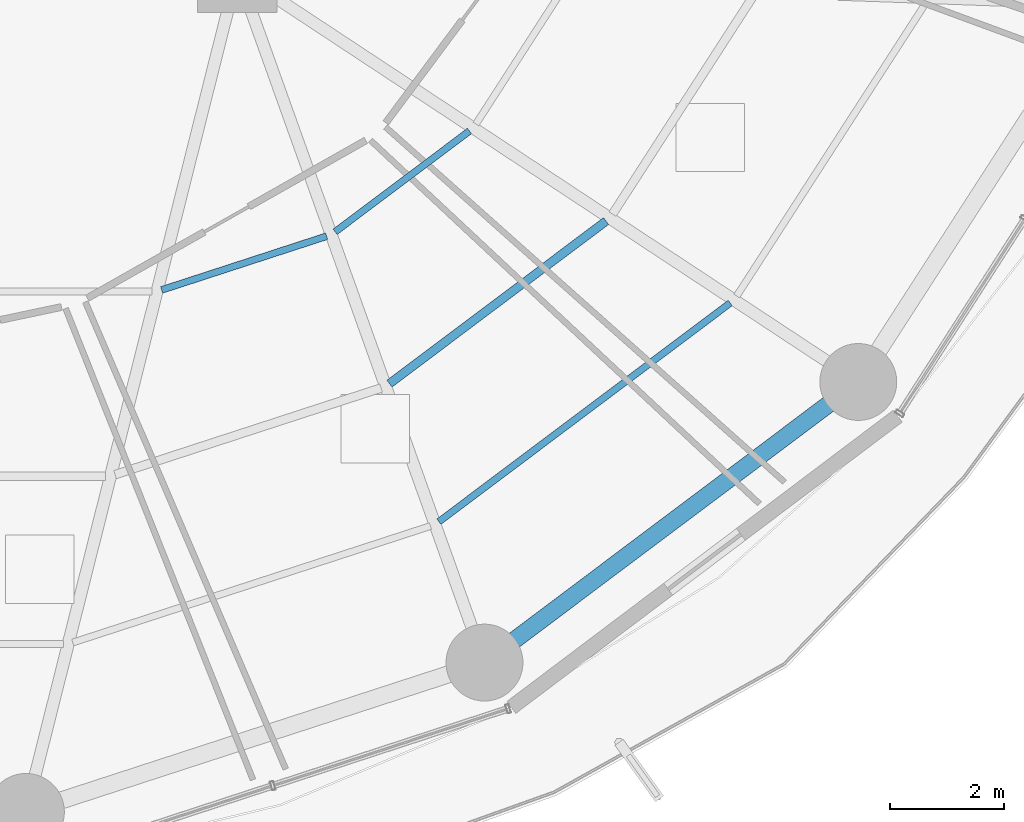
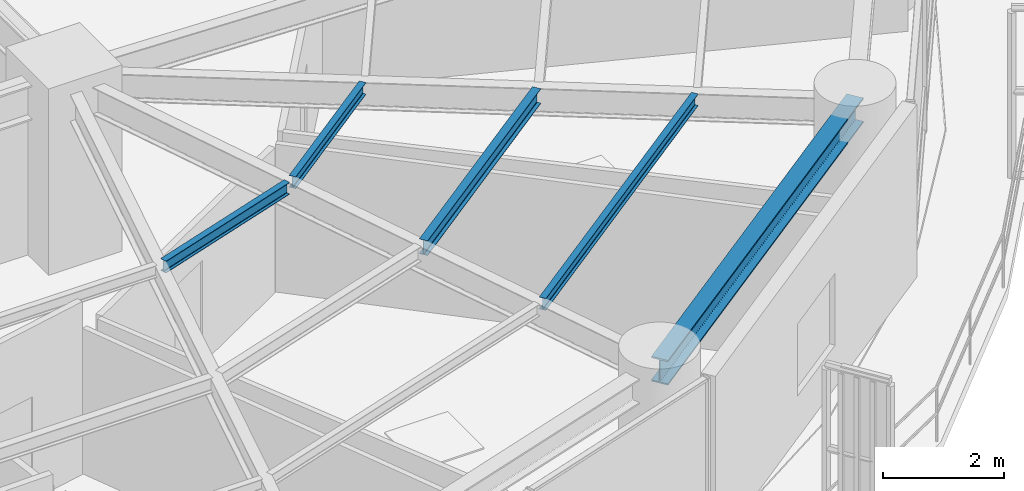
# One storey, part 11 of 35: 5 beams.
"""IFC4 building model written with IfcOpenShell, lengths in metres."""

from ifc_helpers import new_model, si_unit, direction, frame, origin, origin_2d, place, context, subcontext, project, spatial, i_section, extrude, material, material_profile, profile_set, type_object, element, save


model = new_model("IFC4")

# Units and contexts
model_context = context("Model", 3, precision=1e-05, world=origin(), true_north=direction((0.0, 1.0)))
body_context = subcontext(model_context, "Body", "Model", "MODEL_VIEW")
ifc_project = project(units=[si_unit("LENGTHUNIT", "METRE"), si_unit("AREAUNIT", "SQUARE_METRE"), si_unit("VOLUMEUNIT", "CUBIC_METRE"), si_unit("PLANEANGLEUNIT", "RADIAN"), si_unit("MASSUNIT", "GRAM", prefix="KILO")], contexts=[model_context])

# Site, building, storey
site_placement = place(None, origin())
site = spatial("IfcSite", under=ifc_project, at=site_placement, CompositionType="ELEMENT")
building_placement = place(site_placement, origin())
building = spatial("IfcBuilding", under=site, at=building_placement, Name="Kelanora Arch Commons", CompositionType="ELEMENT")
storey_placement = place(building_placement, frame((0.0, 0.0, 95.10009765625)))
storey = spatial("IfcBuildingStorey", under=building, at=storey_placement, Name="L24", CompositionType="ELEMENT", Elevation=95.10009765625)

# Beams
ifc_material = material(Name="Steel S355", Category="steel")
ifc_material_profile_1 = material_profile(ifc_material, i_section(OverallWidth=0.14990234375, OverallDepth=0.300048828125, WebThickness=0.007080078125, FlangeThickness=0.0107421875, FilletRadius=0.014892578125, at=origin_2d()), Name="IPE300")
ifc_profile_set_1 = profile_set([ifc_material_profile_1], Name="Steel S355")
beam_type_1 = type_object("IfcBeamType", Name="BM-JST-01", PredefinedType="JOIST", material=ifc_profile_set_1)
beam_1_placement = place(storey_placement, frame((84.672119140625, 43.77783203125, 3.33984375), z_axis=(0.79971039107, 0.600385951214, 0.0), x_axis=(-0.600385951214, 0.79971039107, 0.0)))
element("IfcBeam", 1, at=beam_1_placement, inside=storey, type_object=beam_type_1, Name="Secondary Chord Joist BJB-30 L24", PredefinedType="JOIST", context=body_context, shape_type="SweptSolid", body=[
    extrude(i_section(OverallWidth=0.14990234375, OverallDepth=0.300048828125, WebThickness=0.007080078125, FlangeThickness=0.0107421875, FilletRadius=0.014892578125, at=origin_2d()), origin(), (0.0, 0.0, 1.0), 4.756103515625),
])
ifc_material_profile_2 = material_profile(ifc_material, i_section(OverallWidth=0.1201171875, OverallDepth=0.239990234375, WebThickness=0.006103515625, FlangeThickness=0.009765625, FilletRadius=0.014892578125, at=origin_2d()), Name="IPE240")
ifc_profile_set_2 = profile_set([ifc_material_profile_2], Name="Steel S355")
beam_type_2 = type_object("IfcBeamType", Name="BM-JST-02", PredefinedType="JOIST", material=ifc_profile_set_2)
beam_2_placement = place(storey_placement, frame((80.66943359375, 45.42333984375, 3.369873046875), z_axis=(0.950846758946, 0.309661817151, 0.0), x_axis=(-0.309661817151, 0.950846758946, 0.0)))
element("IfcBeam", 2, at=beam_2_placement, inside=storey, type_object=beam_type_2, Name="Secondary Chord Joist BJA-28 L24", PredefinedType="JOIST", context=body_context, shape_type="SweptSolid", body=[
    extrude(i_section(OverallWidth=0.1201171875, OverallDepth=0.239990234375, WebThickness=0.006103515625, FlangeThickness=0.009765625, FilletRadius=0.014892578125, at=origin_2d()), origin(), (0.0, 0.0, 1.0), 3.048828125),
])
beam_3_placement = place(storey_placement, frame((83.71728515625, 46.444580078125, 3.369873046875), z_axis=(0.799692034361, 0.600410401458, 0.0), x_axis=(-0.600410401458, 0.799692034361, 0.0)))
element("IfcBeam", 3, at=beam_3_placement, inside=storey, type_object=beam_type_2, Name="Secondary Chord Joist BJA-30 L24", PredefinedType="JOIST", context=body_context, shape_type="SweptSolid", body=[
    extrude(i_section(OverallWidth=0.1201171875, OverallDepth=0.239990234375, WebThickness=0.006103515625, FlangeThickness=0.009765625, FilletRadius=0.014892578125, at=origin_2d()), origin(), (0.0, 0.0, 1.0), 2.949951171875),
])
beam_4_placement = place(storey_placement, frame((85.5400390625, 41.353515625, 3.369873046875), z_axis=(0.799734335646, 0.600354055861, 0.0), x_axis=(-0.600354055861, 0.799734335646, 0.0)))
element("IfcBeam", 4, at=beam_4_placement, inside=storey, type_object=beam_type_2, Name="Secondary Chord Joist BJC-30 L24", PredefinedType="JOIST", context=body_context, shape_type="SweptSolid", body=[
    extrude(i_section(OverallWidth=0.1201171875, OverallDepth=0.239990234375, WebThickness=0.006103515625, FlangeThickness=0.009765625, FilletRadius=0.014892578125, at=origin_2d()), origin(), (0.0, 0.0, 1.0), 6.39794921875),
])
ifc_material_profile_3 = material_profile(ifc_material, i_section(OverallWidth=0.300048828125, OverallDepth=0.5, WebThickness=0.014404296875, FlangeThickness=0.028076171875, FilletRadius=0.027099609375, at=origin_2d()), Name="HEB500")
ifc_profile_set_3 = profile_set([ifc_material_profile_3], Name="Steel S355")
beam_type_3 = type_object("IfcBeamType", Name="BM-SPN-Z2", PredefinedType="SPANDREL", material=ifc_profile_set_3)
beam_5_placement = place(storey_placement, frame((86.340087890625, 38.878173828125, 3.239990234375), z_axis=(0.799735861602, 0.600352023123, 0.0), x_axis=(-0.600352023123, 0.799735861602, 0.0)))
element("IfcBeam", 5, at=beam_5_placement, inside=storey, type_object=beam_type_3, Name="Perimeter Spandrel Beam BS-30 L24", PredefinedType="SPANDREL", context=body_context, shape_type="SweptSolid", body=[
    extrude(i_section(OverallWidth=0.300048828125, OverallDepth=0.5, WebThickness=0.014404296875, FlangeThickness=0.028076171875, FilletRadius=0.027099609375, at=origin_2d()), origin(), (0.0, 0.0, 1.0), 8.210205078125),
])

save(model, "model.ifc")
